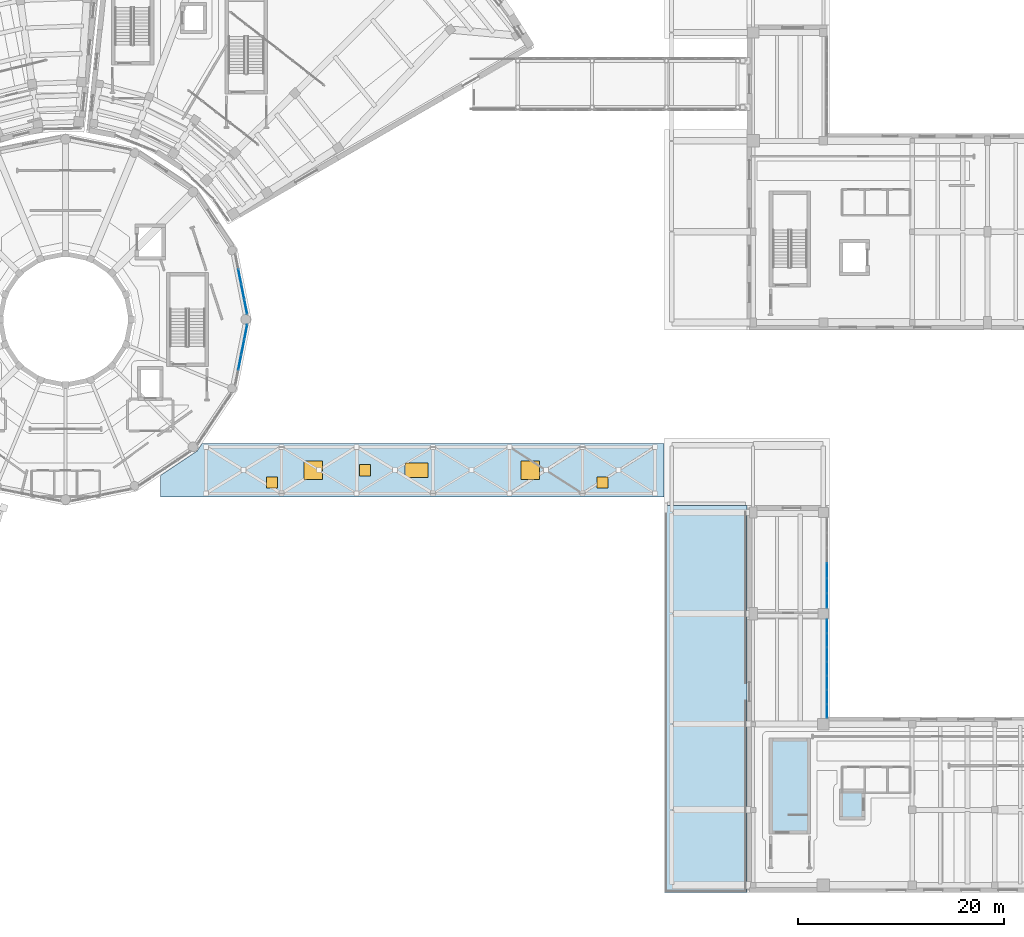
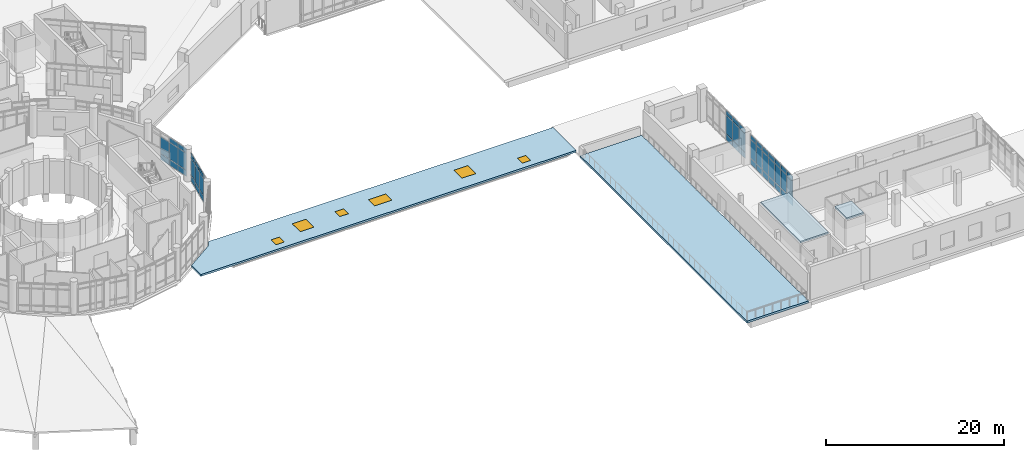
# One storey, part 38 of 75: 47 plates, 4 slabs, 3 doors, 3 windows, 6 openings, 4 elements without a shape of their own.
"""IFC4 building model written with IfcOpenShell, lengths in metres."""

from ifc_helpers import new_model, si_unit, direction, frame, origin, origin_2d, place, context, subcontext, project, spatial, polyline, rectangle, outline, extrude, material, layer, layer_set, type_object, element, fill, aggregate, save


model = new_model("IFC4")

# Units and contexts
model_context = context("Model", 3, precision=1e-05, world=origin(), true_north=direction((0.0, 1.0)))
body_context = subcontext(model_context, "Body", "Model", "MODEL_VIEW")
ifc_project = project(units=[si_unit("LENGTHUNIT", "METRE"), si_unit("AREAUNIT", "SQUARE_METRE"), si_unit("VOLUMEUNIT", "CUBIC_METRE"), si_unit("PLANEANGLEUNIT", "RADIAN"), si_unit("MASSUNIT", "GRAM", prefix="KILO")], contexts=[model_context])

# Site, building, storey
site_placement = place(None, origin())
site = spatial("IfcSite", under=ifc_project, at=site_placement, CompositionType="ELEMENT")
building_placement = place(site_placement, origin())
building = spatial("IfcBuilding", under=site, at=building_placement, Name="Soyqirgoq Riverine Aquarium", CompositionType="ELEMENT")
storey_placement = place(building_placement, frame((0.0, 0.0, 10.199951171875)))
storey = spatial("IfcBuildingStorey", under=building, at=storey_placement, Name="L03", CompositionType="ELEMENT", Elevation=10.199951171875)

# Curtain wall, plates
ifc_material_1 = material(Name="Anodised aluminium thermally broken triple low-E glazing", Category="aluminium")
curtain_wall_type_1 = type_object("IfcCurtainWallType", Name="CW_DrumGallery_Unitised", PredefinedType="NOTDEFINED", material=ifc_material_1)
curtain_wall_1_placement = place(storey_placement, origin())
curtain_wall_1 = element("IfcCurtainWall", 1, at=curtain_wall_1_placement, inside=storey, type_object=curtain_wall_type_1, Name="V1 L03 Curtain Wall 003", PredefinedType="NOTDEFINED")
ifc_material_2 = material(Name="Triple insulated laminated low-E glass", Category="glass")
ifc_layer_1 = layer(ifc_material_2, 0.0458984375)
ifc_layer_set_1 = layer_set([ifc_layer_1], Name="Triple insulated laminated low-E glass")
plate_type = type_object("IfcPlateType", Name="CWGlazedPanel_46", PredefinedType="CURTAIN_PANEL", material=ifc_layer_set_1)
plate_1_placement = place(storey_placement, frame((73.45703125, 58.2216796875, 0.074951171875), z_axis=(0.0, 0.0, 1.0), x_axis=(-0.195094927919, 0.980784364221, 0.0)))
plate_1 = element("IfcPlate", 2, at=plate_1_placement, type_object=plate_type, Name="CW-01 panel 1.1", PredefinedType="CURTAIN_PANEL", context=body_context, shape_type="SweptSolid", body=[
    extrude(rectangle(XDim=1.404541015625, YDim=0.0458984375, at=origin_2d()), origin(), (0.0, 0.0, 1.0), 0.78759765625),
])
plate_2_placement = place(storey_placement, frame((73.45703125, 58.2216796875, 0.9375), z_axis=(0.0, 0.0, 1.0), x_axis=(-0.195094927919, 0.980784364221, 0.0)))
plate_2 = element("IfcPlate", 3, at=plate_2_placement, type_object=plate_type, Name="CW-01 panel 1.2", PredefinedType="CURTAIN_PANEL", context=body_context, shape_type="SweptSolid", body=[
    extrude(rectangle(XDim=1.404541015625, YDim=0.0458984375, at=origin_2d()), origin(), (0.0, 0.0, 1.0), 2.27490234375),
])
plate_3_placement = place(storey_placement, frame((73.45703125, 58.2216796875, 3.28759765625), z_axis=(0.0, 0.0, 1.0), x_axis=(-0.195094927919, 0.980784364221, 0.0)))
plate_3 = element("IfcPlate", 4, at=plate_3_placement, type_object=plate_type, Name="CW-01 panel 1.3", PredefinedType="CURTAIN_PANEL", context=body_context, shape_type="SweptSolid", body=[
    extrude(rectangle(XDim=1.404541015625, YDim=0.0458984375, at=origin_2d()), origin(), (0.0, 0.0, 1.0), 0.58740234375),
])
plate_4_placement = place(storey_placement, frame((73.167236328125, 59.6787109375, 0.074951171875), z_axis=(0.0, 0.0, 1.0), x_axis=(-0.195094927919, 0.980784364221, 0.0)))
plate_4 = element("IfcPlate", 5, at=plate_4_placement, type_object=plate_type, Name="CW-01 panel 2.1", PredefinedType="CURTAIN_PANEL", context=body_context, shape_type="SweptSolid", body=[
    extrude(rectangle(XDim=1.43701171875, YDim=0.0458984375, at=origin_2d()), origin(), (0.0, 0.0, 1.0), 0.78759765625),
])
plate_5_placement = place(storey_placement, frame((73.167236328125, 59.6787109375, 0.9375), z_axis=(0.0, 0.0, 1.0), x_axis=(-0.195094927919, 0.980784364221, 0.0)))
plate_5 = element("IfcPlate", 6, at=plate_5_placement, type_object=plate_type, Name="CW-01 panel 2.2", PredefinedType="CURTAIN_PANEL", context=body_context, shape_type="SweptSolid", body=[
    extrude(rectangle(XDim=1.43701171875, YDim=0.0458984375, at=origin_2d()), origin(), (0.0, 0.0, 1.0), 2.27490234375),
])
plate_6_placement = place(storey_placement, frame((73.167236328125, 59.6787109375, 3.28759765625), z_axis=(0.0, 0.0, 1.0), x_axis=(-0.195094927919, 0.980784364221, 0.0)))
plate_6 = element("IfcPlate", 7, at=plate_6_placement, type_object=plate_type, Name="CW-01 panel 2.3", PredefinedType="CURTAIN_PANEL", context=body_context, shape_type="SweptSolid", body=[
    extrude(rectangle(XDim=1.43701171875, YDim=0.0458984375, at=origin_2d()), origin(), (0.0, 0.0, 1.0), 0.58740234375),
])
plate_7_placement = place(storey_placement, frame((72.8740234375, 61.15185546875, 0.074951171875), z_axis=(0.0, 0.0, 1.0), x_axis=(-0.195094927919, 0.980784364221, 0.0)))
plate_7 = element("IfcPlate", 8, at=plate_7_placement, type_object=plate_type, Name="CW-01 panel 3.1", PredefinedType="CURTAIN_PANEL", context=body_context, shape_type="SweptSolid", body=[
    extrude(rectangle(XDim=1.43701171875, YDim=0.0458984375, at=origin_2d()), origin(), (0.0, 0.0, 1.0), 0.78759765625),
])
plate_8_placement = place(storey_placement, frame((72.8740234375, 61.15185546875, 0.9375), z_axis=(0.0, 0.0, 1.0), x_axis=(-0.195094927919, 0.980784364221, 0.0)))
plate_8 = element("IfcPlate", 9, at=plate_8_placement, type_object=plate_type, Name="CW-01 panel 3.2", PredefinedType="CURTAIN_PANEL", context=body_context, shape_type="SweptSolid", body=[
    extrude(rectangle(XDim=1.43701171875, YDim=0.0458984375, at=origin_2d()), origin(), (0.0, 0.0, 1.0), 2.27490234375),
])
aggregate(curtain_wall_1, [plate_1, plate_2, plate_3, plate_4, plate_5, plate_6, plate_7, plate_8])

curtain_wall_2_placement = place(storey_placement, origin())
curtain_wall_2 = element("IfcCurtainWall", 10, at=curtain_wall_2_placement, inside=storey, type_object=curtain_wall_type_1, Name="V1 L03 Curtain Wall 074", PredefinedType="NOTDEFINED")
plate_9_placement = place(storey_placement, frame((72.8740234375, 52.84814453125, 0.074951171875), z_axis=(0.0, 0.0, 1.0), x_axis=(0.195094927919, 0.980784364221, 0.0)))
plate_9 = element("IfcPlate", 11, at=plate_9_placement, type_object=plate_type, Name="CW-01 panel 2.1", PredefinedType="CURTAIN_PANEL", context=body_context, shape_type="SweptSolid", body=[
    extrude(rectangle(XDim=1.43701171875, YDim=0.0458984375, at=origin_2d()), origin(), (0.0, 0.0, 1.0), 0.78759765625),
])
plate_10_placement = place(storey_placement, frame((72.8740234375, 52.84814453125, 0.9375), z_axis=(0.0, 0.0, 1.0), x_axis=(0.195094927919, 0.980784364221, 0.0)))
plate_10 = element("IfcPlate", 12, at=plate_10_placement, type_object=plate_type, Name="CW-01 panel 2.2", PredefinedType="CURTAIN_PANEL", context=body_context, shape_type="SweptSolid", body=[
    extrude(rectangle(XDim=1.43701171875, YDim=0.0458984375, at=origin_2d()), origin(), (0.0, 0.0, 1.0), 2.27490234375),
])
plate_11_placement = place(storey_placement, frame((72.8740234375, 52.84814453125, 3.28759765625), z_axis=(0.0, 0.0, 1.0), x_axis=(0.195094927919, 0.980784364221, 0.0)))
plate_11 = element("IfcPlate", 13, at=plate_11_placement, type_object=plate_type, Name="CW-01 panel 2.3", PredefinedType="CURTAIN_PANEL", context=body_context, shape_type="SweptSolid", body=[
    extrude(rectangle(XDim=1.43701171875, YDim=0.0458984375, at=origin_2d()), origin(), (0.0, 0.0, 1.0), 0.58740234375),
])
plate_12_placement = place(storey_placement, frame((73.167236328125, 54.3212890625, 0.074951171875), z_axis=(0.0, 0.0, 1.0), x_axis=(0.195094927919, 0.980784364221, 0.0)))
plate_12 = element("IfcPlate", 14, at=plate_12_placement, type_object=plate_type, Name="CW-01 panel 3.1", PredefinedType="CURTAIN_PANEL", context=body_context, shape_type="SweptSolid", body=[
    extrude(rectangle(XDim=1.43701171875, YDim=0.0458984375, at=origin_2d()), origin(), (0.0, 0.0, 1.0), 0.78759765625),
])
plate_13_placement = place(storey_placement, frame((73.167236328125, 54.3212890625, 0.9375), z_axis=(0.0, 0.0, 1.0), x_axis=(0.195094927919, 0.980784364221, 0.0)))
plate_13 = element("IfcPlate", 15, at=plate_13_placement, type_object=plate_type, Name="CW-01 panel 3.2", PredefinedType="CURTAIN_PANEL", context=body_context, shape_type="SweptSolid", body=[
    extrude(rectangle(XDim=1.43701171875, YDim=0.0458984375, at=origin_2d()), origin(), (0.0, 0.0, 1.0), 2.27490234375),
])
plate_14_placement = place(storey_placement, frame((73.167236328125, 54.3212890625, 3.28759765625), z_axis=(0.0, 0.0, 1.0), x_axis=(0.195094927919, 0.980784364221, 0.0)))
plate_14 = element("IfcPlate", 16, at=plate_14_placement, type_object=plate_type, Name="CW-01 panel 3.3", PredefinedType="CURTAIN_PANEL", context=body_context, shape_type="SweptSolid", body=[
    extrude(rectangle(XDim=1.43701171875, YDim=0.0458984375, at=origin_2d()), origin(), (0.0, 0.0, 1.0), 0.58740234375),
])
plate_15_placement = place(storey_placement, frame((73.45703125, 55.7783203125, 0.074951171875), z_axis=(0.0, 0.0, 1.0), x_axis=(0.195094927919, 0.980784364221, 0.0)))
plate_15 = element("IfcPlate", 17, at=plate_15_placement, type_object=plate_type, Name="CW-01 panel 4.1", PredefinedType="CURTAIN_PANEL", context=body_context, shape_type="SweptSolid", body=[
    extrude(rectangle(XDim=1.404541015625, YDim=0.0458984375, at=origin_2d()), origin(), (0.0, 0.0, 1.0), 0.78759765625),
])
plate_16_placement = place(storey_placement, frame((73.45703125, 55.7783203125, 0.9375), z_axis=(0.0, 0.0, 1.0), x_axis=(0.195094927919, 0.980784364221, 0.0)))
plate_16 = element("IfcPlate", 18, at=plate_16_placement, type_object=plate_type, Name="CW-01 panel 4.2", PredefinedType="CURTAIN_PANEL", context=body_context, shape_type="SweptSolid", body=[
    extrude(rectangle(XDim=1.404541015625, YDim=0.0458984375, at=origin_2d()), origin(), (0.0, 0.0, 1.0), 2.27490234375),
])
plate_17_placement = place(storey_placement, frame((73.45703125, 55.7783203125, 3.28759765625), z_axis=(0.0, 0.0, 1.0), x_axis=(0.195094927919, 0.980784364221, 0.0)))
plate_17 = element("IfcPlate", 19, at=plate_17_placement, type_object=plate_type, Name="CW-01 panel 4.3", PredefinedType="CURTAIN_PANEL", context=body_context, shape_type="SweptSolid", body=[
    extrude(rectangle(XDim=1.404541015625, YDim=0.0458984375, at=origin_2d()), origin(), (0.0, 0.0, 1.0), 0.58740234375),
])
aggregate(curtain_wall_2, [plate_9, plate_10, plate_11, plate_12, plate_13, plate_14, plate_15, plate_16, plate_17])

ifc_material_3 = material(Name="Anodised aluminium thermally broken gallery curtain wall", Category="aluminium")
curtain_wall_type_2 = type_object("IfcCurtainWallType", Name="CW_Pavilion_Ribbon", PredefinedType="NOTDEFINED", material=ifc_material_3)
curtain_wall_3_placement = place(storey_placement, origin())
curtain_wall_3 = element("IfcCurtainWall", 20, at=curtain_wall_3_placement, inside=storey, type_object=curtain_wall_type_2, Name="V6 L03 Curtain Wall 118", PredefinedType="NOTDEFINED")
plate_18_placement = place(storey_placement, frame((129.75, 32.680419921875, 0.074951171875), z_axis=(0.0, 0.0, 1.0), x_axis=(0.0, -1.0, 0.0)))
plate_18 = element("IfcPlate", 21, at=plate_18_placement, type_object=plate_type, Name="CW-05 panel 4.1", PredefinedType="CURTAIN_PANEL", context=body_context, shape_type="SweptSolid", body=[
    extrude(rectangle(XDim=1.399169921875, YDim=0.0458984375, at=origin_2d()), origin(), (0.0, 0.0, 1.0), 0.78759765625),
])
plate_19_placement = place(storey_placement, frame((129.75, 32.680419921875, 0.9375), z_axis=(0.0, 0.0, 1.0), x_axis=(0.0, -1.0, 0.0)))
plate_19 = element("IfcPlate", 22, at=plate_19_placement, type_object=plate_type, Name="CW-05 panel 4.2", PredefinedType="CURTAIN_PANEL", context=body_context, shape_type="SweptSolid", body=[
    extrude(rectangle(XDim=1.399169921875, YDim=0.0458984375, at=origin_2d()), origin(), (0.0, 0.0, 1.0), 2.514892578125),
])
plate_20_placement = place(storey_placement, frame((129.75, 32.680419921875, 3.527587890625), z_axis=(0.0, 0.0, 1.0), x_axis=(0.0, -1.0, 0.0)))
plate_20 = element("IfcPlate", 23, at=plate_20_placement, type_object=plate_type, Name="CW-05 panel 4.3", PredefinedType="CURTAIN_PANEL", context=body_context, shape_type="SweptSolid", body=[
    extrude(rectangle(XDim=1.399169921875, YDim=0.0458984375, at=origin_2d()), origin(), (0.0, 0.0, 1.0), 0.58740234375),
])
plate_21_placement = place(storey_placement, frame((129.75, 31.21630859375, 0.074951171875), z_axis=(0.0, 0.0, 1.0), x_axis=(0.0, -1.0, 0.0)))
plate_21 = element("IfcPlate", 24, at=plate_21_placement, type_object=plate_type, Name="CW-05 panel 5.1", PredefinedType="CURTAIN_PANEL", context=body_context, shape_type="SweptSolid", body=[
    extrude(rectangle(XDim=1.399169921875, YDim=0.0458984375, at=origin_2d()), origin(), (0.0, 0.0, 1.0), 0.78759765625),
])
plate_22_placement = place(storey_placement, frame((129.75, 31.21630859375, 0.9375), z_axis=(0.0, 0.0, 1.0), x_axis=(0.0, -1.0, 0.0)))
plate_22 = element("IfcPlate", 25, at=plate_22_placement, type_object=plate_type, Name="CW-05 panel 5.2", PredefinedType="CURTAIN_PANEL", context=body_context, shape_type="SweptSolid", body=[
    extrude(rectangle(XDim=1.399169921875, YDim=0.0458984375, at=origin_2d()), origin(), (0.0, 0.0, 1.0), 2.514892578125),
])
plate_23_placement = place(storey_placement, frame((129.75, 31.21630859375, 3.527587890625), z_axis=(0.0, 0.0, 1.0), x_axis=(0.0, -1.0, 0.0)))
plate_23 = element("IfcPlate", 26, at=plate_23_placement, type_object=plate_type, Name="CW-05 panel 5.3", PredefinedType="CURTAIN_PANEL", context=body_context, shape_type="SweptSolid", body=[
    extrude(rectangle(XDim=1.399169921875, YDim=0.0458984375, at=origin_2d()), origin(), (0.0, 0.0, 1.0), 0.58740234375),
])
plate_24_placement = place(storey_placement, frame((129.75, 29.768310546875, 0.074951171875), z_axis=(0.0, 0.0, 1.0), x_axis=(0.0, -1.0, 0.0)))
plate_24 = element("IfcPlate", 27, at=plate_24_placement, type_object=plate_type, Name="CW-05 panel 6.1", PredefinedType="CURTAIN_PANEL", context=body_context, shape_type="SweptSolid", body=[
    extrude(rectangle(XDim=1.36669921875, YDim=0.0458984375, at=origin_2d()), origin(), (0.0, 0.0, 1.0), 0.78759765625),
])
plate_25_placement = place(storey_placement, frame((129.75, 29.768310546875, 0.9375), z_axis=(0.0, 0.0, 1.0), x_axis=(0.0, -1.0, 0.0)))
plate_25 = element("IfcPlate", 28, at=plate_25_placement, type_object=plate_type, Name="CW-05 panel 6.2", PredefinedType="CURTAIN_PANEL", context=body_context, shape_type="SweptSolid", body=[
    extrude(rectangle(XDim=1.36669921875, YDim=0.0458984375, at=origin_2d()), origin(), (0.0, 0.0, 1.0), 2.514892578125),
])
plate_26_placement = place(storey_placement, frame((129.75, 29.768310546875, 3.527587890625), z_axis=(0.0, 0.0, 1.0), x_axis=(0.0, -1.0, 0.0)))
plate_26 = element("IfcPlate", 29, at=plate_26_placement, type_object=plate_type, Name="CW-05 panel 6.3", PredefinedType="CURTAIN_PANEL", context=body_context, shape_type="SweptSolid", body=[
    extrude(rectangle(XDim=1.36669921875, YDim=0.0458984375, at=origin_2d()), origin(), (0.0, 0.0, 1.0), 0.58740234375),
])
aggregate(curtain_wall_3, [plate_18, plate_19, plate_20, plate_21, plate_22, plate_23, plate_24, plate_25, plate_26])

curtain_wall_4_placement = place(storey_placement, origin())
curtain_wall_4 = element("IfcCurtainWall", 30, at=curtain_wall_4_placement, inside=storey, type_object=curtain_wall_type_2, Name="V6 L03 Curtain Wall 119", PredefinedType="NOTDEFINED")
plate_27_placement = place(storey_placement, frame((129.75, 27.27734375, 0.074951171875), z_axis=(0.0, 0.0, 1.0), x_axis=(0.0, -1.0, 0.0)))
plate_27 = element("IfcPlate", 31, at=plate_27_placement, type_object=plate_type, Name="CW-05 panel 1.1", PredefinedType="CURTAIN_PANEL", context=body_context, shape_type="SweptSolid", body=[
    extrude(rectangle(XDim=1.275390625, YDim=0.0458984375, at=origin_2d()), origin(), (0.0, 0.0, 1.0), 0.78759765625),
])
plate_28_placement = place(storey_placement, frame((129.75, 27.27734375, 0.9375), z_axis=(0.0, 0.0, 1.0), x_axis=(0.0, -1.0, 0.0)))
plate_28 = element("IfcPlate", 32, at=plate_28_placement, type_object=plate_type, Name="CW-05 panel 1.2", PredefinedType="CURTAIN_PANEL", context=body_context, shape_type="SweptSolid", body=[
    extrude(rectangle(XDim=1.275390625, YDim=0.0458984375, at=origin_2d()), origin(), (0.0, 0.0, 1.0), 2.514892578125),
])
plate_29_placement = place(storey_placement, frame((129.75, 27.27734375, 3.527587890625), z_axis=(0.0, 0.0, 1.0), x_axis=(0.0, -1.0, 0.0)))
plate_29 = element("IfcPlate", 33, at=plate_29_placement, type_object=plate_type, Name="CW-05 panel 1.3", PredefinedType="CURTAIN_PANEL", context=body_context, shape_type="SweptSolid", body=[
    extrude(rectangle(XDim=1.275390625, YDim=0.0458984375, at=origin_2d()), origin(), (0.0, 0.0, 1.0), 0.58740234375),
])
plate_30_placement = place(storey_placement, frame((129.75, 25.920654296875, 0.074951171875), z_axis=(0.0, 0.0, 1.0), x_axis=(0.0, -1.0, 0.0)))
plate_30 = element("IfcPlate", 34, at=plate_30_placement, type_object=plate_type, Name="CW-05 panel 2.1", PredefinedType="CURTAIN_PANEL", context=body_context, shape_type="SweptSolid", body=[
    extrude(rectangle(XDim=1.307861328125, YDim=0.0458984375, at=origin_2d()), origin(), (0.0, 0.0, 1.0), 0.78759765625),
])
plate_31_placement = place(storey_placement, frame((129.75, 25.920654296875, 0.9375), z_axis=(0.0, 0.0, 1.0), x_axis=(0.0, -1.0, 0.0)))
plate_31 = element("IfcPlate", 35, at=plate_31_placement, type_object=plate_type, Name="CW-05 panel 2.2", PredefinedType="CURTAIN_PANEL", context=body_context, shape_type="SweptSolid", body=[
    extrude(rectangle(XDim=1.307861328125, YDim=0.0458984375, at=origin_2d()), origin(), (0.0, 0.0, 1.0), 2.514892578125),
])
plate_32_placement = place(storey_placement, frame((129.75, 25.920654296875, 3.527587890625), z_axis=(0.0, 0.0, 1.0), x_axis=(0.0, -1.0, 0.0)))
plate_32 = element("IfcPlate", 36, at=plate_32_placement, type_object=plate_type, Name="CW-05 panel 2.3", PredefinedType="CURTAIN_PANEL", context=body_context, shape_type="SweptSolid", body=[
    extrude(rectangle(XDim=1.307861328125, YDim=0.0458984375, at=origin_2d()), origin(), (0.0, 0.0, 1.0), 0.58740234375),
])
plate_33_placement = place(storey_placement, frame((129.75, 24.5478515625, 0.074951171875), z_axis=(0.0, 0.0, 1.0), x_axis=(0.0, -1.0, 0.0)))
plate_33 = element("IfcPlate", 37, at=plate_33_placement, type_object=plate_type, Name="CW-05 panel 3.1", PredefinedType="CURTAIN_PANEL", context=body_context, shape_type="SweptSolid", body=[
    extrude(rectangle(XDim=1.307861328125, YDim=0.0458984375, at=origin_2d()), origin(), (0.0, 0.0, 1.0), 0.78759765625),
])
plate_34_placement = place(storey_placement, frame((129.75, 24.5478515625, 0.9375), z_axis=(0.0, 0.0, 1.0), x_axis=(0.0, -1.0, 0.0)))
plate_34 = element("IfcPlate", 38, at=plate_34_placement, type_object=plate_type, Name="CW-05 panel 3.2", PredefinedType="CURTAIN_PANEL", context=body_context, shape_type="SweptSolid", body=[
    extrude(rectangle(XDim=1.307861328125, YDim=0.0458984375, at=origin_2d()), origin(), (0.0, 0.0, 1.0), 2.514892578125),
])
plate_35_placement = place(storey_placement, frame((129.75, 24.5478515625, 3.527587890625), z_axis=(0.0, 0.0, 1.0), x_axis=(0.0, -1.0, 0.0)))
plate_35 = element("IfcPlate", 39, at=plate_35_placement, type_object=plate_type, Name="CW-05 panel 3.3", PredefinedType="CURTAIN_PANEL", context=body_context, shape_type="SweptSolid", body=[
    extrude(rectangle(XDim=1.307861328125, YDim=0.0458984375, at=origin_2d()), origin(), (0.0, 0.0, 1.0), 0.58740234375),
])
plate_36_placement = place(storey_placement, frame((129.75, 23.175048828125, 0.074951171875), z_axis=(0.0, 0.0, 1.0), x_axis=(0.0, -1.0, 0.0)))
plate_36 = element("IfcPlate", 40, at=plate_36_placement, type_object=plate_type, Name="CW-05 panel 4.1", PredefinedType="CURTAIN_PANEL", context=body_context, shape_type="SweptSolid", body=[
    extrude(rectangle(XDim=1.307861328125, YDim=0.0458984375, at=origin_2d()), origin(), (0.0, 0.0, 1.0), 0.78759765625),
])
plate_37_placement = place(storey_placement, frame((129.75, 23.175048828125, 0.9375), z_axis=(0.0, 0.0, 1.0), x_axis=(0.0, -1.0, 0.0)))
plate_37 = element("IfcPlate", 41, at=plate_37_placement, type_object=plate_type, Name="CW-05 panel 4.2", PredefinedType="CURTAIN_PANEL", context=body_context, shape_type="SweptSolid", body=[
    extrude(rectangle(XDim=1.307861328125, YDim=0.0458984375, at=origin_2d()), origin(), (0.0, 0.0, 1.0), 2.514892578125),
])
plate_38_placement = place(storey_placement, frame((129.75, 23.175048828125, 3.527587890625), z_axis=(0.0, 0.0, 1.0), x_axis=(0.0, -1.0, 0.0)))
plate_38 = element("IfcPlate", 42, at=plate_38_placement, type_object=plate_type, Name="CW-05 panel 4.3", PredefinedType="CURTAIN_PANEL", context=body_context, shape_type="SweptSolid", body=[
    extrude(rectangle(XDim=1.307861328125, YDim=0.0458984375, at=origin_2d()), origin(), (0.0, 0.0, 1.0), 0.58740234375),
])
plate_39_placement = place(storey_placement, frame((129.75, 21.80224609375, 0.074951171875), z_axis=(0.0, 0.0, 1.0), x_axis=(0.0, -1.0, 0.0)))
plate_39 = element("IfcPlate", 43, at=plate_39_placement, type_object=plate_type, Name="CW-05 panel 5.1", PredefinedType="CURTAIN_PANEL", context=body_context, shape_type="SweptSolid", body=[
    extrude(rectangle(XDim=1.307861328125, YDim=0.0458984375, at=origin_2d()), origin(), (0.0, 0.0, 1.0), 0.78759765625),
])
plate_40_placement = place(storey_placement, frame((129.75, 21.80224609375, 0.9375), z_axis=(0.0, 0.0, 1.0), x_axis=(0.0, -1.0, 0.0)))
plate_40 = element("IfcPlate", 44, at=plate_40_placement, type_object=plate_type, Name="CW-05 panel 5.2", PredefinedType="CURTAIN_PANEL", context=body_context, shape_type="SweptSolid", body=[
    extrude(rectangle(XDim=1.307861328125, YDim=0.0458984375, at=origin_2d()), origin(), (0.0, 0.0, 1.0), 2.514892578125),
])
plate_41_placement = place(storey_placement, frame((129.75, 21.80224609375, 3.527587890625), z_axis=(0.0, 0.0, 1.0), x_axis=(0.0, -1.0, 0.0)))
plate_41 = element("IfcPlate", 45, at=plate_41_placement, type_object=plate_type, Name="CW-05 panel 5.3", PredefinedType="CURTAIN_PANEL", context=body_context, shape_type="SweptSolid", body=[
    extrude(rectangle(XDim=1.307861328125, YDim=0.0458984375, at=origin_2d()), origin(), (0.0, 0.0, 1.0), 0.58740234375),
])
plate_42_placement = place(storey_placement, frame((129.75, 20.42919921875, 0.074951171875), z_axis=(0.0, 0.0, 1.0), x_axis=(0.0, -1.0, 0.0)))
plate_42 = element("IfcPlate", 46, at=plate_42_placement, type_object=plate_type, Name="CW-05 panel 6.1", PredefinedType="CURTAIN_PANEL", context=body_context, shape_type="SweptSolid", body=[
    extrude(rectangle(XDim=1.307861328125, YDim=0.0458984375, at=origin_2d()), origin(), (0.0, 0.0, 1.0), 0.78759765625),
])
plate_43_placement = place(storey_placement, frame((129.75, 20.42919921875, 0.9375), z_axis=(0.0, 0.0, 1.0), x_axis=(0.0, -1.0, 0.0)))
plate_43 = element("IfcPlate", 47, at=plate_43_placement, type_object=plate_type, Name="CW-05 panel 6.2", PredefinedType="CURTAIN_PANEL", context=body_context, shape_type="SweptSolid", body=[
    extrude(rectangle(XDim=1.307861328125, YDim=0.0458984375, at=origin_2d()), origin(), (0.0, 0.0, 1.0), 2.514892578125),
])
plate_44_placement = place(storey_placement, frame((129.75, 20.42919921875, 3.527587890625), z_axis=(0.0, 0.0, 1.0), x_axis=(0.0, -1.0, 0.0)))
plate_44 = element("IfcPlate", 48, at=plate_44_placement, type_object=plate_type, Name="CW-05 panel 6.3", PredefinedType="CURTAIN_PANEL", context=body_context, shape_type="SweptSolid", body=[
    extrude(rectangle(XDim=1.307861328125, YDim=0.0458984375, at=origin_2d()), origin(), (0.0, 0.0, 1.0), 0.58740234375),
])
plate_45_placement = place(storey_placement, frame((129.75, 19.07275390625, 0.074951171875), z_axis=(0.0, 0.0, 1.0), x_axis=(0.0, -1.0, 0.0)))
plate_45 = element("IfcPlate", 49, at=plate_45_placement, type_object=plate_type, Name="CW-05 panel 7.1", PredefinedType="CURTAIN_PANEL", context=body_context, shape_type="SweptSolid", body=[
    extrude(rectangle(XDim=1.275390625, YDim=0.0458984375, at=origin_2d()), origin(), (0.0, 0.0, 1.0), 0.78759765625),
])
plate_46_placement = place(storey_placement, frame((129.75, 19.07275390625, 0.9375), z_axis=(0.0, 0.0, 1.0), x_axis=(0.0, -1.0, 0.0)))
plate_46 = element("IfcPlate", 50, at=plate_46_placement, type_object=plate_type, Name="CW-05 panel 7.2", PredefinedType="CURTAIN_PANEL", context=body_context, shape_type="SweptSolid", body=[
    extrude(rectangle(XDim=1.275390625, YDim=0.0458984375, at=origin_2d()), origin(), (0.0, 0.0, 1.0), 2.514892578125),
])
plate_47_placement = place(storey_placement, frame((129.75, 19.07275390625, 3.527587890625), z_axis=(0.0, 0.0, 1.0), x_axis=(0.0, -1.0, 0.0)))
plate_47 = element("IfcPlate", 51, at=plate_47_placement, type_object=plate_type, Name="CW-05 panel 7.3", PredefinedType="CURTAIN_PANEL", context=body_context, shape_type="SweptSolid", body=[
    extrude(rectangle(XDim=1.275390625, YDim=0.0458984375, at=origin_2d()), origin(), (0.0, 0.0, 1.0), 0.58740234375),
])
aggregate(curtain_wall_4, [plate_27, plate_28, plate_29, plate_30, plate_31, plate_32, plate_33, plate_34, plate_35, plate_36, plate_37, plate_38, plate_39, plate_40, plate_41, plate_42, plate_43, plate_44, plate_45, plate_46, plate_47])

# Slabs
ifc_material_4 = material(Name="Concrete C35/45", Category="concrete")
ifc_layer_2 = layer(ifc_material_4, 0.25)
ifc_layer_set_2 = layer_set([ifc_layer_2], Name="Concrete C35/45")
slab_type_1 = type_object("IfcSlabType", Name="FloorSlab_250_C35", PredefinedType="FLOOR", material=ifc_layer_set_2)
slab_1_placement = place(storey_placement, frame((0.0, 0.0, 3.60009765625)))
element("IfcSlab", 52, at=slab_1_placement, inside=storey, type_object=slab_type_1, Name="Lift PL-4 Shaft Overrun Cap Slab", PredefinedType="FLOOR", context=body_context, shape_type="SweptSolid", body=[
    extrude(outline(polyline([(131.1201171875, 8.669921875), (133.280029296875, 8.669921875), (133.280029296875, 11.330078125), (131.1201171875, 11.330078125), (131.1201171875, 8.669921875)])), origin(), (0.0, 0.0, 1.0), 0.25),
])
ifc_material_5 = material(Name="Concrete C35/45", Category="concrete")
ifc_layer_3 = layer(ifc_material_5, 0.219970703125)
ifc_layer_set_3 = layer_set([ifc_layer_3], Name="Concrete C35/45")
slab_type_2 = type_object("IfcSlabType", Name="PrairieRoof_220_C35", PredefinedType="ROOF", material=ifc_layer_set_3)
slab_2_placement = place(storey_placement, frame((0.0, 0.0, 3.60009765625)))
element("IfcSlab", 53, at=slab_2_placement, inside=storey, type_object=slab_type_2, Name="CORE-6 L03 Stairwell Overrun Roof Slab", PredefinedType="ROOF", context=body_context, shape_type="SweptSolid", body=[
    extrude(outline(polyline([(127.97509765625, 7.324951171875), (127.97509765625, 16.27490234375), (124.324951171875, 16.27490234375), (124.324951171875, 7.324951171875), (127.97509765625, 7.324951171875)])), origin(), (0.0, 0.0, 1.0), 0.219970703125),
])

# Slab, openings, doors, windows
ifc_material_6 = material(Name="Concrete C35/45", Category="concrete")
ifc_layer_4 = layer(ifc_material_6, 0.260009765625)
ifc_layer_set_4 = layer_set([ifc_layer_4], Name="Concrete C35/45")
slab_type_3 = type_object("IfcSlabType", Name="PrairieRoof_260_C35", PredefinedType="ROOF", material=ifc_layer_set_4)
slab_3_placement = place(storey_placement, origin())
slab_3 = element("IfcSlab", 54, at=slab_3_placement, inside=storey, type_object=slab_type_3, Name="South Riverine Passage Bridge BR-1 Roof Canopy Slab", PredefinedType="ROOF", context=body_context, shape_type="SweptSolid", body=[
    extrude(outline(polyline([(69.23828125, 45.0), (68.740478515625, 44.256591796875), (65.199951171875, 41.890869140625), (65.199951171875, 39.800048828125), (113.949951171875, 39.800048828125), (113.949951171875, 45.0), (69.23828125, 45.0)]), holes=[polyline([(79.10009765625, 41.5), (79.10009765625, 43.300048828125), (80.89990234375, 43.300048828125), (80.89990234375, 41.5), (79.10009765625, 41.5)]), polyline([(88.89990234375, 41.699951171875), (88.89990234375, 43.10009765625), (91.10009765625, 43.10009765625), (91.10009765625, 41.699951171875), (88.89990234375, 41.699951171875)]), polyline([(100.10009765625, 41.5), (100.10009765625, 43.300048828125), (101.89990234375, 43.300048828125), (101.89990234375, 41.5), (100.10009765625, 41.5)]), polyline([(75.449951171875, 40.64990234375), (75.449951171875, 41.75), (76.550048828125, 41.75), (76.550048828125, 40.64990234375), (75.449951171875, 40.64990234375)]), polyline([(107.449951171875, 40.64990234375), (107.449951171875, 41.75), (108.550048828125, 41.75), (108.550048828125, 40.64990234375), (107.449951171875, 40.64990234375)]), polyline([(84.449951171875, 41.85009765625), (84.449951171875, 42.949951171875), (85.550048828125, 42.949951171875), (85.550048828125, 41.85009765625), (84.449951171875, 41.85009765625)])]), origin(), (0.0, 0.0, 1.0), 0.260009765625),
])
opening_1_placement = place(slab_3_placement, frame((80.0, 42.39990234375, 0.0)))
opening_1 = element("IfcOpeningElement", 55, at=opening_1_placement, cuts=slab_3, Name="Opening SK-01", PredefinedType="OPENING", context=body_context, shape_type="SweptSolid", body=[
    extrude(rectangle(XDim=1.800048828125, YDim=1.800048828125, at=origin_2d()), origin(), (0.0, 0.0, 1.0), 0.260009765625),
])
opening_2_placement = place(slab_3_placement, frame((90.0, 42.39990234375, 0.0)))
opening_2 = element("IfcOpeningElement", 56, at=opening_2_placement, cuts=slab_3, Name="Opening SK-02", PredefinedType="OPENING", context=body_context, shape_type="SweptSolid", body=[
    extrude(rectangle(XDim=2.199951171875, YDim=1.39990234375, at=origin_2d()), origin(), (0.0, 0.0, 1.0), 0.260009765625),
])
opening_3_placement = place(slab_3_placement, frame((101.0, 42.39990234375, 0.0)))
opening_3 = element("IfcOpeningElement", 57, at=opening_3_placement, cuts=slab_3, Name="Opening SK-01", PredefinedType="OPENING", context=body_context, shape_type="SweptSolid", body=[
    extrude(rectangle(XDim=1.800048828125, YDim=1.800048828125, at=origin_2d()), origin(), (0.0, 0.0, 1.0), 0.260009765625),
])
opening_4_placement = place(slab_3_placement, frame((76.0, 41.199951171875, 0.0)))
opening_4 = element("IfcOpeningElement", 58, at=opening_4_placement, cuts=slab_3, Name="Opening RH-01", PredefinedType="OPENING", context=body_context, shape_type="SweptSolid", body=[
    extrude(rectangle(XDim=1.10009765625, YDim=1.10009765625, at=origin_2d()), origin(), (0.0, 0.0, 1.0), 0.260009765625),
])
opening_5_placement = place(slab_3_placement, frame((108.0, 41.199951171875, 0.0)))
opening_5 = element("IfcOpeningElement", 59, at=opening_5_placement, cuts=slab_3, Name="Opening RH-01", PredefinedType="OPENING", context=body_context, shape_type="SweptSolid", body=[
    extrude(rectangle(XDim=1.10009765625, YDim=1.10009765625, at=origin_2d()), origin(), (0.0, 0.0, 1.0), 0.260009765625),
])
opening_6_placement = place(slab_3_placement, frame((85.0, 42.39990234375, 0.0)))
opening_6 = element("IfcOpeningElement", 60, at=opening_6_placement, cuts=slab_3, Name="Opening RH-01", PredefinedType="OPENING", context=body_context, shape_type="SweptSolid", body=[
    extrude(rectangle(XDim=1.10009765625, YDim=1.10009765625, at=origin_2d()), origin(), (0.0, 0.0, 1.0), 0.260009765625),
])
ifc_material_7 = material(Name="Insulated aluminium roof access hatch", Category="aluminium")
door_type = type_object("IfcDoorType", Name="RoofAccessHatch_1100x1100", OperationType="SINGLE_SWING_LEFT", PredefinedType="TRAPDOOR", material=ifc_material_7)
door_1_placement = place(opening_4_placement, frame((0.0, 0.0, 0.2099609375)))
door_1 = element("IfcDoor", 61, at=door_1_placement, inside=storey, type_object=door_type, Name="RH-L03-01 L03 Maintenance Roof Access Hatch 01", OperationType="SINGLE_SWING_LEFT", OverallHeight=1.10009765625, OverallWidth=1.10009765625, PredefinedType="TRAPDOOR", context=body_context, shape_type="SweptSolid", body=[
    extrude(rectangle(XDim=1.10009765625, YDim=1.10009765625, at=origin_2d()), origin(), (0.0, 0.0, 1.0), 0.050048828125),
])
fill(opening_4, door_1)
door_2_placement = place(opening_5_placement, frame((0.0, 0.0, 0.2099609375)))
door_2 = element("IfcDoor", 62, at=door_2_placement, inside=storey, type_object=door_type, Name="RH-L03-02 L03 Maintenance Roof Access Hatch 02", OperationType="SINGLE_SWING_LEFT", OverallHeight=1.10009765625, OverallWidth=1.10009765625, PredefinedType="TRAPDOOR", context=body_context, shape_type="SweptSolid", body=[
    extrude(rectangle(XDim=1.10009765625, YDim=1.10009765625, at=origin_2d()), origin(), (0.0, 0.0, 1.0), 0.050048828125),
])
fill(opening_5, door_2)
door_3_placement = place(opening_6_placement, frame((0.0, 0.0, 0.2099609375)))
door_3 = element("IfcDoor", 63, at=door_3_placement, inside=storey, type_object=door_type, Name="RH-BR1-L03-01 BR-1 L03 Bridge Roof Maintenance Access Hatch", OperationType="SINGLE_SWING_LEFT", OverallHeight=1.10009765625, OverallWidth=1.10009765625, PredefinedType="TRAPDOOR", context=body_context, shape_type="SweptSolid", body=[
    extrude(rectangle(XDim=1.10009765625, YDim=1.10009765625, at=origin_2d()), origin(), (0.0, 0.0, 1.0), 0.050048828125),
])
fill(opening_6, door_3)
ifc_material_8 = material(Name="Thermally broken aluminium triple low-E window", Category="aluminium")
window_type_1 = type_object("IfcWindowType", Name="Skylight_1800x1800", PartitioningType="SINGLE_PANEL", PredefinedType="SKYLIGHT", material=ifc_material_8)
window_1_placement = place(opening_1_placement, frame((0.0, 0.0, 0.2099609375)))
window_1 = element("IfcWindow", 64, at=window_1_placement, inside=storey, type_object=window_type_1, Name="L03 Concourse Roof Skylight 01", OverallHeight=1.800048828125, OverallWidth=1.800048828125, PartitioningType="SINGLE_PANEL", PredefinedType="SKYLIGHT", context=body_context, shape_type="SweptSolid", body=[
    extrude(rectangle(XDim=1.800048828125, YDim=1.800048828125, at=origin_2d()), origin(), (0.0, 0.0, 1.0), 0.050048828125),
])
fill(opening_1, window_1)
window_2_placement = place(opening_3_placement, frame((0.0, 0.0, 0.2099609375)))
window_2 = element("IfcWindow", 65, at=window_2_placement, inside=storey, type_object=window_type_1, Name="L03 Concourse Roof Skylight 03", OverallHeight=1.800048828125, OverallWidth=1.800048828125, PartitioningType="SINGLE_PANEL", PredefinedType="SKYLIGHT", context=body_context, shape_type="SweptSolid", body=[
    extrude(rectangle(XDim=1.800048828125, YDim=1.800048828125, at=origin_2d()), origin(), (0.0, 0.0, 1.0), 0.050048828125),
])
fill(opening_3, window_2)
ifc_material_9 = material(Name="Thermally broken aluminium triple low-E window", Category="aluminium")
window_type_2 = type_object("IfcWindowType", Name="Skylight_2200x1400", PartitioningType="SINGLE_PANEL", PredefinedType="SKYLIGHT", material=ifc_material_9)
window_3_placement = place(opening_2_placement, frame((0.0, 0.0, 0.2099609375)))
window_3 = element("IfcWindow", 66, at=window_3_placement, inside=storey, type_object=window_type_2, Name="L03 Concourse Roof Skylight 02", OverallHeight=1.39990234375, OverallWidth=2.199951171875, PartitioningType="SINGLE_PANEL", PredefinedType="SKYLIGHT", context=body_context, shape_type="SweptSolid", body=[
    extrude(rectangle(XDim=2.199951171875, YDim=1.39990234375, at=origin_2d()), origin(), (0.0, 0.0, 1.0), 0.050048828125),
])
fill(opening_2, window_3)

# Slab
ifc_material_10 = material(Name="Concrete C40/50", Category="concrete")
ifc_layer_5 = layer(ifc_material_10, 0.280029296875)
ifc_layer_set_5 = layer_set([ifc_layer_5], Name="Concrete C40/50")
slab_type_4 = type_object("IfcSlabType", Name="TerraceSlab_280_C40", PredefinedType="FLOOR", material=ifc_layer_set_5)
slab_4_placement = place(storey_placement, frame((0.0, 0.0, -0.280029296875)))
element("IfcSlab", 67, at=slab_4_placement, inside=storey, type_object=slab_type_4, Name="V6 L03 Planted Roof Garden Terrace Slab", PredefinedType="FLOOR", context=body_context, shape_type="SweptSolid", body=[
    extrude(outline(polyline([(114.0, 1.5), (122.0, 1.5), (122.0, 39.0), (114.0, 39.0), (114.0, 1.5)])), origin(), (0.0, 0.0, 1.0), 0.280029296875),
])

save(model, "model.ifc")
